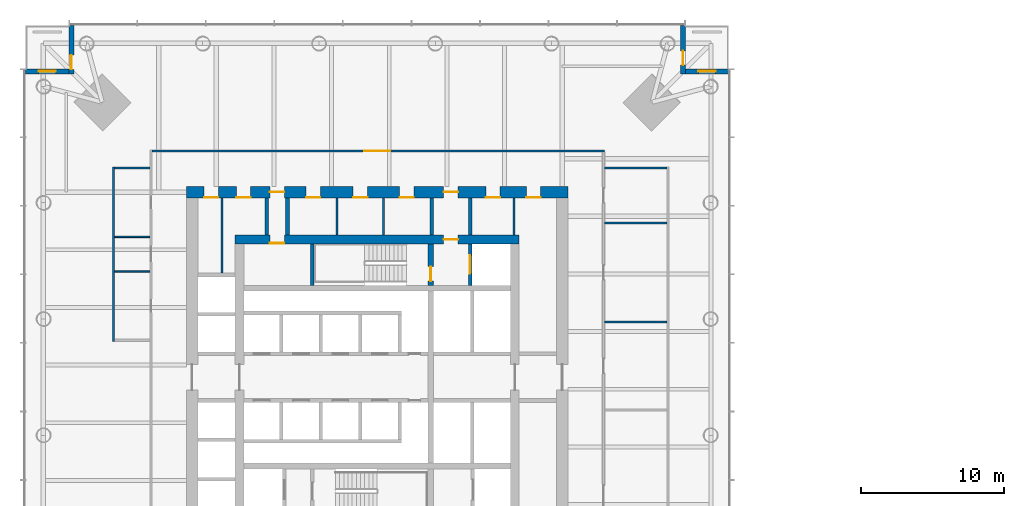
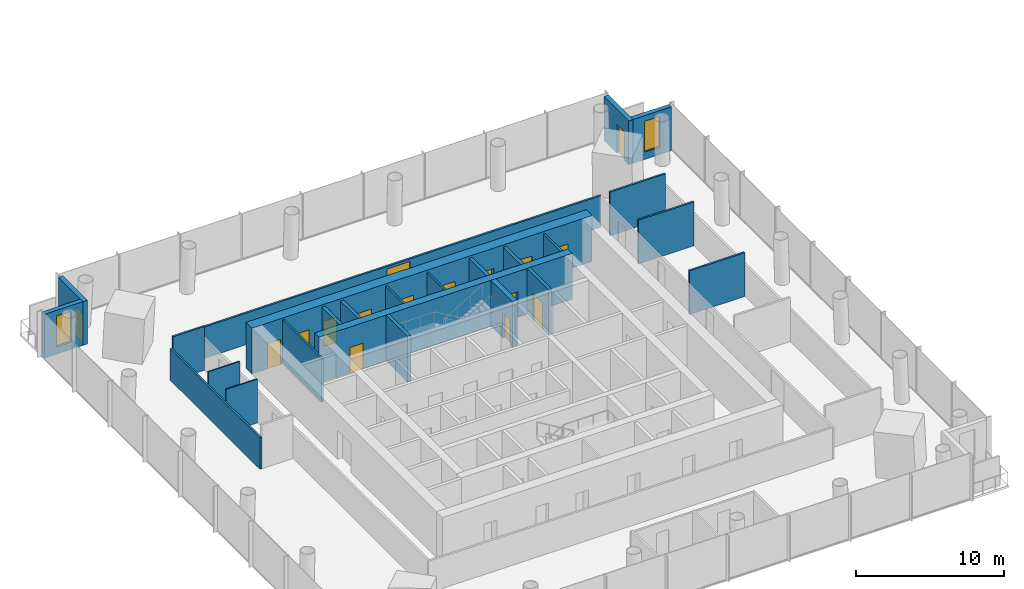
# One storey, part 11 of 21: 25 walls, 16 doors, 2 windows, 18 openings.
"""IFC4 building model written with IfcOpenShell, lengths in metres."""

from ifc_helpers import new_model, si_unit, direction, frame, frame_2d, origin, place, context, subcontext, project, spatial, rectangle, extrude, material, layer, layer_set, type_object, element, fill, save


model = new_model("IFC4")

# Units and contexts
model_context = context("Model", 3, precision=1e-05, world=origin(), true_north=direction((0.0, 1.0)))
body_context = subcontext(model_context, "Body", "Model", "MODEL_VIEW")
ifc_project = project(units=[si_unit("LENGTHUNIT", "METRE"), si_unit("AREAUNIT", "SQUARE_METRE"), si_unit("VOLUMEUNIT", "CUBIC_METRE"), si_unit("PLANEANGLEUNIT", "RADIAN"), si_unit("MASSUNIT", "GRAM", prefix="KILO")], contexts=[model_context])

# Site, building, storey
site_placement = place(None, origin())
site = spatial("IfcSite", under=ifc_project, at=site_placement, CompositionType="ELEMENT")
building_placement = place(site_placement, origin())
building = spatial("IfcBuilding", under=site, at=building_placement, Name="Ostroluk Exchange", CompositionType="ELEMENT")
storey_placement = place(building_placement, frame((0.0, 0.0, 43.800048828125)))
storey = spatial("IfcBuildingStorey", under=building, at=storey_placement, Name="L10", CompositionType="ELEMENT", Elevation=43.800048828125)

# Walls
ifc_material_1 = material(Name="Concrete blockwork", Category="masonry")
ifc_layer_1 = layer(ifc_material_1, 0.10009765625)
ifc_layer_set_1 = layer_set([ifc_layer_1], Name="Blockwork WC wall 100")
wall_type_1 = type_object("IfcWallType", Name="Blockwork WC wall 100", PredefinedType="SOLIDWALL", material=ifc_layer_set_1)
for number, where, z_axis, x_axis, name in (
    (1, (29.14990234375, 55.77490234375, 0.0), (0.0, 0.0, 1.0), (-1.0, 0.0, 0.0), "Blockwork WC wall"),
    (2, (29.14990234375, 53.375, 0.0), (0.0, 0.0, 1.0), (-1.0, 0.0, 0.0), "Blockwork WC wall"),
):
    element("IfcWall", number, at=place(storey_placement, frame(where, z_axis=z_axis, x_axis=x_axis)), inside=storey, type_object=wall_type_1, Name=name, PredefinedType="SOLIDWALL", context=body_context, shape_type="SweptSolid", body=[
        extrude(rectangle(XDim=2.449951171875, YDim=0.10009765625, at=frame_2d((1.22509765625, 0.0))), origin(), (0.0, 0.0, 1.0), 3.619873046875),
    ])
ifc_material_2 = material(Name="Concrete blockwork", Category="masonry")
ifc_layer_2 = layer(ifc_material_2, 0.14990234375)
ifc_layer_set_2 = layer_set([ifc_layer_2], Name="Blockwork plant room wall 150")
wall_type_2 = type_object("IfcWallType", Name="Blockwork plant room wall 150", PredefinedType="SOLIDWALL", material=ifc_layer_set_2)
wall_1_placement = place(storey_placement, frame((34.18310546875, 53.25, 0.0), z_axis=(0.0, 0.0, 1.0), x_axis=(0.0, 1.0, 0.0)))
element("IfcWall", 3, at=wall_1_placement, inside=storey, type_object=wall_type_2, Name="Core room wall", PredefinedType="SOLIDWALL", context=body_context, shape_type="SweptSolid", body=[
    extrude(rectangle(XDim=5.25, YDim=0.14990234375, at=frame_2d((2.625, 0.0))), origin(), (0.0, 0.0, 1.0), 3.619873046875),
])
for number, where, z_axis, x_axis, name in (
    (4, (42.208740234375, 55.89990234375, 0.0), (0.0, 0.0, 1.0), (0.0, 1.0, 0.0), "Core room wall"),
    (5, (45.4443359375, 55.89990234375, 0.0), (0.0, 0.0, 1.0), (0.0, 1.0, 0.0), "Core room wall"),
    (6, (54.550048828125, 55.89990234375, 0.0), (0.0, 0.0, 1.0), (0.0, 1.0, 0.0), "Core room wall"),
):
    element("IfcWall", number, at=place(storey_placement, frame(where, z_axis=z_axis, x_axis=x_axis)), inside=storey, type_object=wall_type_2, Name=name, PredefinedType="SOLIDWALL", context=body_context, shape_type="SweptSolid", body=[
        extrude(rectangle(XDim=2.60009765625, YDim=0.14990234375, at=frame_2d((1.300048828125, 0.0))), origin(), (0.0, 0.0, 1.0), 3.619873046875),
    ])
ifc_material_3 = material(Name="Concrete blockwork", Category="masonry")
ifc_layer_3 = layer(ifc_material_3, 0.25)
ifc_layer_set_3 = layer_set([ifc_layer_3], Name="Blockwork stair enclosure wall 250")
wall_type_3 = type_object("IfcWallType", Name="Blockwork stair enclosure wall 250", PredefinedType="SOLIDWALL", material=ifc_layer_set_3)
for number, where, z_axis, x_axis, name in (
    (7, (48.804931640625, 55.89990234375, 0.0), (0.0, 0.0, 1.0), (0.0, 1.0, 0.0), "Fire lobby enclosure wall"),
    (8, (51.47509765625, 55.89990234375, 0.0), (0.0, 0.0, 1.0), (0.0, 1.0, 0.0), "Fire lobby enclosure wall"),
    (9, (37.300048828125, 55.89990234375, 0.0), (0.0, 0.0, 1.0), (0.0, 1.0, 0.0), "Core corridor wall"),
    (10, (38.75, 55.89990234375, 0.0), (0.0, 0.0, 1.0), (0.0, 1.0, 0.0), "Core corridor wall"),
):
    element("IfcWall", number, at=place(storey_placement, frame(where, z_axis=z_axis, x_axis=x_axis)), inside=storey, type_object=wall_type_3, Name=name, PredefinedType="SOLIDWALL", context=body_context, shape_type="SweptSolid", body=[
        extrude(rectangle(XDim=2.60009765625, YDim=0.25, at=frame_2d((1.300048828125, 0.0))), origin(), (0.0, 0.0, 1.0), 3.619873046875),
    ])

# Wall, opening, door
ifc_material_4 = material(Name="Concrete C50/60", Category="concrete")
ifc_layer_4 = layer(ifc_material_4, 0.39990234375)
ifc_layer_set_4 = layer_set([ifc_layer_4], Name="Core cross wall 400 C50/60")
wall_type_4 = type_object("IfcWallType", Name="Core cross wall 400 C50/60", PredefinedType="SHEAR", material=ifc_layer_set_4)
wall_2_placement = place(storey_placement, frame((48.72998046875, 52.39990234375, 0.0), z_axis=(0.0, 0.0, 1.0), x_axis=(0.0, 1.0, 0.0)))
wall_2 = element("IfcWall", 11, at=wall_2_placement, inside=storey, type_object=wall_type_4, Name="T1 core wall YE3", PredefinedType="SHEAR", context=body_context, shape_type="SweptSolid", body=[
    extrude(rectangle(XDim=2.900146484375, YDim=0.39990234375, at=frame_2d((1.4501953125, 0.0))), origin(), (0.0, 0.0, 1.0), 3.800048828125),
])
opening_1_placement = place(wall_2_placement, frame((0.300048828125, 0.0, 0.0)))
opening_1 = element("IfcOpeningElement", 12, at=opening_1_placement, cuts=wall_2, Name="Opening FD60", PredefinedType="OPENING", context=body_context, shape_type="SweptSolid", body=[
    extrude(rectangle(XDim=1.0, YDim=2.10009765625, at=frame_2d((0.5, 1.050048828125))), frame((0.0, 0.2099609375, 0.0), z_axis=(0.0, -1.0, 0.0), x_axis=(1.0, 0.0, 0.0)), (0.0, 0.0, 1.0), 0.419921875),
])
ifc_material_5 = material(Name="Steel", Category="steel")
door_type_1 = type_object("IfcDoorType", Name="Fire door EI 60 1000 x 2100", OperationType="SINGLE_SWING_LEFT", PredefinedType="DOOR", material=ifc_material_5)
door_1_placement = place(opening_1_placement, origin())
door_1 = element("IfcDoor", 13, at=door_1_placement, inside=storey, type_object=door_type_1, Name="Stair T1-S2 door", OperationType="SINGLE_SWING_LEFT", OverallHeight=2.10009765625, OverallWidth=1.0, PredefinedType="DOOR", context=body_context, shape_type="SweptSolid", body=[
    extrude(rectangle(XDim=1.0, YDim=2.10009765625, at=frame_2d((0.5, 1.050048828125))), frame((0.0, 0.02490234375, 0.0), z_axis=(0.0, -1.0, 0.0), x_axis=(1.0, 0.0, 0.0)), (0.0, 0.0, 1.0), 0.050048828125),
])
fill(opening_1, door_1)

# Wall
ifc_material_6 = material(Name="Concrete C40/50", Category="concrete")
ifc_layer_5 = layer(ifc_material_6, 0.25)
ifc_layer_set_5 = layer_set([ifc_layer_5], Name="Core shaft wall 250")
wall_type_5 = type_object("IfcWallType", Name="Core shaft wall 250", PredefinedType="SHEAR", material=ifc_layer_set_5)
wall_3_placement = place(storey_placement, frame((40.47509765625, 52.39990234375, 0.0), z_axis=(0.0, 0.0, 1.0), x_axis=(0.0, 1.0, 0.0)))
element("IfcWall", 14, at=wall_3_placement, inside=storey, type_object=wall_type_5, Name="Stair shaft wall", PredefinedType="SHEAR", context=body_context, shape_type="SweptSolid", body=[
    extrude(rectangle(XDim=2.900146484375, YDim=0.25, at=frame_2d((1.4501953125, 0.0))), origin(), (0.0, 0.0, 1.0), 3.800048828125),
])

# Wall, opening, door
wall_4_placement = place(storey_placement, frame((51.47509765625, 52.39990234375, 0.0), z_axis=(0.0, 0.0, 1.0), x_axis=(0.0, 1.0, 0.0)))
wall_4 = element("IfcWall", 15, at=wall_4_placement, inside=storey, type_object=wall_type_5, Name="Firefighting lift shaft wall", PredefinedType="SHEAR", context=body_context, shape_type="SweptSolid", body=[
    extrude(rectangle(XDim=2.900146484375, YDim=0.25, at=frame_2d((1.4501953125, 0.0))), origin(), (0.0, 0.0, 1.0), 3.800048828125),
])
opening_2_placement = place(wall_4_placement, frame((0.800048828125, 0.0, 0.0)))
opening_2 = element("IfcOpeningElement", 16, at=opening_2_placement, cuts=wall_4, Name="Opening LD2", PredefinedType="OPENING", context=body_context, shape_type="SweptSolid", body=[
    extrude(rectangle(XDim=1.300048828125, YDim=2.199951171875, at=frame_2d((0.64990234375, 1.10009765625))), frame((0.0, 0.135009765625, 0.0), z_axis=(0.0, -1.0, 0.0), x_axis=(1.0, 0.0, 0.0)), (0.0, 0.0, 1.0), 0.27001953125),
])
ifc_material_7 = material(Name="Stainless steel", Category="steel")
door_type_2 = type_object("IfcDoorType", Name="Lift landing door E 60 1300 x 2200", OperationType="DOUBLE_DOOR_SLIDING", PredefinedType="DOOR", material=ifc_material_7)
door_2_placement = place(opening_2_placement, origin())
door_2 = element("IfcDoor", 17, at=door_2_placement, inside=storey, type_object=door_type_2, Name="Lift FL2 landing door", OperationType="DOUBLE_DOOR_SLIDING", OverallHeight=2.199951171875, OverallWidth=1.300048828125, PredefinedType="DOOR", context=body_context, shape_type="SweptSolid", body=[
    extrude(rectangle(XDim=1.300048828125, YDim=2.199951171875, at=frame_2d((0.64990234375, 1.10009765625))), frame((0.0, 0.02490234375, 0.0), z_axis=(0.0, -1.0, 0.0), x_axis=(1.0, 0.0, 0.0)), (0.0, 0.0, 1.0), 0.050048828125),
])
fill(opening_2, door_2)

# Wall, openings, doors
ifc_material_8 = material(Name="Concrete C50/60", Category="concrete")
ifc_layer_6 = layer(ifc_material_8, 0.60009765625)
ifc_layer_set_6 = layer_set([ifc_layer_6], Name="Core wall 600 C50/60")
wall_type_6 = type_object("IfcWallType", Name="Core wall 600 C50/60", PredefinedType="SHEAR", material=ifc_layer_set_6)
wall_5_placement = place(storey_placement, frame((35.10009765625, 55.60009765625, 0.0), z_axis=(0.0, 0.0, 1.0), x_axis=(1.0, 0.0, 0.0)))
wall_5 = element("IfcWall", 18, at=wall_5_placement, inside=storey, type_object=wall_type_6, Name="T1 core wall N", PredefinedType="SHEAR", context=body_context, shape_type="SweptSolid", body=[
    extrude(rectangle(XDim=19.7998046875, YDim=0.60009765625, at=frame_2d((9.89990234375, 0.0))), origin(), (0.0, 0.0, 1.0), 3.800048828125),
])
opening_3_placement = place(wall_5_placement, frame((14.5400390625, 0.0, 0.0)))
opening_3 = element("IfcOpeningElement", 19, at=opening_3_placement, cuts=wall_5, Name="Opening FD60", PredefinedType="OPENING", context=body_context, shape_type="SweptSolid", body=[
    extrude(rectangle(XDim=1.0, YDim=2.10009765625, at=frame_2d((0.5, 1.050048828125))), frame((0.0, 0.31005859375, 0.0), z_axis=(0.0, -1.0, 0.0), x_axis=(1.0, 0.0, 0.0)), (0.0, 0.0, 1.0), 0.6201171875),
])
opening_4_placement = place(wall_5_placement, frame((2.425048828125, 0.0, 0.0)))
opening_4 = element("IfcOpeningElement", 20, at=opening_4_placement, cuts=wall_5, Name="Opening FD60", PredefinedType="OPENING", context=body_context, shape_type="SweptSolid", body=[
    extrude(rectangle(XDim=1.0, YDim=2.10009765625, at=frame_2d((0.5, 1.050048828125))), frame((0.0, 0.31005859375, 0.0), z_axis=(0.0, -1.0, 0.0), x_axis=(1.0, 0.0, 0.0)), (0.0, 0.0, 1.0), 0.6201171875),
])
door_3_placement = place(opening_3_placement, origin())
door_3 = element("IfcDoor", 21, at=door_3_placement, inside=storey, type_object=door_type_1, Name="Firefighting lobby door", OperationType="SINGLE_SWING_RIGHT", OverallHeight=2.10009765625, OverallWidth=1.0, PredefinedType="DOOR", context=body_context, shape_type="SweptSolid", body=[
    extrude(rectangle(XDim=1.0, YDim=2.10009765625, at=frame_2d((0.5, 1.050048828125))), frame((0.0, 0.02490234375, 0.0), z_axis=(0.0, -1.0, 0.0), x_axis=(1.0, 0.0, 0.0)), (0.0, 0.0, 1.0), 0.050048828125),
])
fill(opening_3, door_3)
door_4_placement = place(opening_4_placement, origin())
door_4 = element("IfcDoor", 22, at=door_4_placement, inside=storey, type_object=door_type_1, Name="Tea point door", OperationType="SINGLE_SWING_LEFT", OverallHeight=2.10009765625, OverallWidth=1.0, PredefinedType="DOOR", context=body_context, shape_type="SweptSolid", body=[
    extrude(rectangle(XDim=1.0, YDim=2.10009765625, at=frame_2d((0.5, 1.050048828125))), frame((0.0, -0.23974609375, 0.0), z_axis=(0.0, -1.0, 0.0), x_axis=(1.0, 0.0, 0.0)), (0.0, 0.0, 1.0), 0.050048828125),
])
fill(opening_4, door_4)

ifc_material_9 = material(Name="Concrete C50/60", Category="concrete")
ifc_layer_7 = layer(ifc_material_9, 0.800048828125)
ifc_layer_set_7 = layer_set([ifc_layer_7], Name="Core wall 800 C50/60")
wall_type_7 = type_object("IfcWallType", Name="Core wall 800 C50/60", PredefinedType="SHEAR", material=ifc_layer_set_7)
wall_6_placement = place(storey_placement, frame((31.699951171875, 58.89990234375, 0.0), z_axis=(0.0, 0.0, 1.0), x_axis=(1.0, 0.0, 0.0)))
wall_6 = element("IfcWall", 23, at=wall_6_placement, inside=storey, type_object=wall_type_7, Name="T1 core wall RN", PredefinedType="SHEAR", context=body_context, shape_type="SweptSolid", body=[
    extrude(rectangle(XDim=26.60009765625, YDim=0.800048828125, at=frame_2d((13.300048828125, 0.0))), origin(), (0.0, 0.0, 1.0), 3.800048828125),
])
opening_5_placement = place(wall_6_placement, frame((17.93994140625, 0.0, 0.0)))
opening_5 = element("IfcOpeningElement", 24, at=opening_5_placement, cuts=wall_6, Name="Opening FD60", PredefinedType="OPENING", context=body_context, shape_type="SweptSolid", body=[
    extrude(rectangle(XDim=1.0, YDim=2.10009765625, at=frame_2d((0.5, 1.050048828125))), frame((0.0, 0.409912109375, 0.0), z_axis=(0.0, -1.0, 0.0), x_axis=(1.0, 0.0, 0.0)), (0.0, 0.0, 1.0), 0.820068359375),
])
opening_6_placement = place(wall_6_placement, frame((5.824951171875, 0.0, 0.0)))
opening_6 = element("IfcOpeningElement", 25, at=opening_6_placement, cuts=wall_6, Name="Opening FD60", PredefinedType="OPENING", context=body_context, shape_type="SweptSolid", body=[
    extrude(rectangle(XDim=1.0, YDim=2.10009765625, at=frame_2d((0.5, 1.050048828125))), frame((0.0, 0.409912109375, 0.0), z_axis=(0.0, -1.0, 0.0), x_axis=(1.0, 0.0, 0.0)), (0.0, 0.0, 1.0), 0.820068359375),
])
opening_7_placement = place(wall_6_placement, frame((1.23291015625, 0.0, 0.0)))
opening_7 = element("IfcOpeningElement", 26, at=opening_7_placement, cuts=wall_6, Name="Opening FD60", PredefinedType="OPENING", context=body_context, shape_type="SweptSolid", body=[
    extrude(rectangle(XDim=1.0, YDim=2.10009765625, at=frame_2d((0.5, 1.050048828125))), frame((0.0, 0.409912109375, 0.0), z_axis=(0.0, -1.0, 0.0), x_axis=(1.0, 0.0, 0.0)), (0.0, 0.0, 1.0), 0.820068359375),
])
opening_8_placement = place(wall_6_placement, frame((3.47900390625, 0.0, 0.0)))
opening_8 = element("IfcOpeningElement", 27, at=opening_8_placement, cuts=wall_6, Name="Opening FD60", PredefinedType="OPENING", context=body_context, shape_type="SweptSolid", body=[
    extrude(rectangle(XDim=1.0, YDim=2.10009765625, at=frame_2d((0.5, 1.050048828125))), frame((0.0, 0.409912109375, 0.0), z_axis=(0.0, -1.0, 0.0), x_axis=(1.0, 0.0, 0.0)), (0.0, 0.0, 1.0), 0.820068359375),
])
opening_9_placement = place(wall_6_placement, frame((8.341796875, 0.0, 0.0)))
opening_9 = element("IfcOpeningElement", 28, at=opening_9_placement, cuts=wall_6, Name="Opening FD60", PredefinedType="OPENING", context=body_context, shape_type="SweptSolid", body=[
    extrude(rectangle(XDim=1.0, YDim=2.10009765625, at=frame_2d((0.5, 1.050048828125))), frame((0.0, 0.409912109375, 0.0), z_axis=(0.0, -1.0, 0.0), x_axis=(1.0, 0.0, 0.0)), (0.0, 0.0, 1.0), 0.820068359375),
])
opening_10_placement = place(wall_6_placement, frame((11.62646484375, 0.0, 0.0)))
opening_10 = element("IfcOpeningElement", 29, at=opening_10_placement, cuts=wall_6, Name="Opening FD60", PredefinedType="OPENING", context=body_context, shape_type="SweptSolid", body=[
    extrude(rectangle(XDim=1.0, YDim=2.10009765625, at=frame_2d((0.5, 1.050048828125))), frame((0.0, 0.409912109375, 0.0), z_axis=(0.0, -1.0, 0.0), x_axis=(1.0, 0.0, 0.0)), (0.0, 0.0, 1.0), 0.820068359375),
])
opening_11_placement = place(wall_6_placement, frame((14.862060546875, 0.0, 0.0)))
opening_11 = element("IfcOpeningElement", 30, at=opening_11_placement, cuts=wall_6, Name="Opening FD60", PredefinedType="OPENING", context=body_context, shape_type="SweptSolid", body=[
    extrude(rectangle(XDim=1.0, YDim=2.10009765625, at=frame_2d((0.5, 1.050048828125))), frame((0.0, 0.409912109375, 0.0), z_axis=(0.0, -1.0, 0.0), x_axis=(1.0, 0.0, 0.0)), (0.0, 0.0, 1.0), 0.820068359375),
])
opening_12_placement = place(wall_6_placement, frame((20.875, 0.0, 0.0)))
opening_12 = element("IfcOpeningElement", 31, at=opening_12_placement, cuts=wall_6, Name="Opening FD60", PredefinedType="OPENING", context=body_context, shape_type="SweptSolid", body=[
    extrude(rectangle(XDim=1.0, YDim=2.10009765625, at=frame_2d((0.5, 1.050048828125))), frame((0.0, 0.409912109375, 0.0), z_axis=(0.0, -1.0, 0.0), x_axis=(1.0, 0.0, 0.0)), (0.0, 0.0, 1.0), 0.820068359375),
])
opening_13_placement = place(wall_6_placement, frame((23.699951171875, 0.0, 0.0)))
opening_13 = element("IfcOpeningElement", 32, at=opening_13_placement, cuts=wall_6, Name="Opening FD60", PredefinedType="OPENING", context=body_context, shape_type="SweptSolid", body=[
    extrude(rectangle(XDim=1.0, YDim=2.10009765625, at=frame_2d((0.5, 1.050048828125))), frame((0.0, 0.409912109375, 0.0), z_axis=(0.0, -1.0, 0.0), x_axis=(1.0, 0.0, 0.0)), (0.0, 0.0, 1.0), 0.820068359375),
])
door_5_placement = place(opening_5_placement, origin())
door_5 = element("IfcDoor", 33, at=door_5_placement, inside=storey, type_object=door_type_1, Name="Firefighting lobby door", OperationType="SINGLE_SWING_RIGHT", OverallHeight=2.10009765625, OverallWidth=1.0, PredefinedType="DOOR", context=body_context, shape_type="SweptSolid", body=[
    extrude(rectangle(XDim=1.0, YDim=2.10009765625, at=frame_2d((0.5, 1.050048828125))), frame((0.0, 0.02490234375, 0.0), z_axis=(0.0, -1.0, 0.0), x_axis=(1.0, 0.0, 0.0)), (0.0, 0.0, 1.0), 0.050048828125),
])
fill(opening_5, door_5)
door_6_placement = place(opening_6_placement, origin())
door_6 = element("IfcDoor", 34, at=door_6_placement, inside=storey, type_object=door_type_1, Name="Core corridor door", OperationType="SINGLE_SWING_LEFT", OverallHeight=2.10009765625, OverallWidth=1.0, PredefinedType="DOOR", context=body_context, shape_type="SweptSolid", body=[
    extrude(rectangle(XDim=1.0, YDim=2.10009765625, at=frame_2d((0.5, 1.050048828125))), frame((0.0, 0.02490234375, 0.0), z_axis=(0.0, -1.0, 0.0), x_axis=(1.0, 0.0, 0.0)), (0.0, 0.0, 1.0), 0.050048828125),
])
fill(opening_6, door_6)
door_7_placement = place(opening_7_placement, origin())
door_7 = element("IfcDoor", 35, at=door_7_placement, inside=storey, type_object=door_type_1, Name="Tenant IT room door", OperationType="SINGLE_SWING_LEFT", OverallHeight=2.10009765625, OverallWidth=1.0, PredefinedType="DOOR", context=body_context, shape_type="SweptSolid", body=[
    extrude(rectangle(XDim=1.0, YDim=2.10009765625, at=frame_2d((0.5, 1.050048828125))), frame((0.0, -0.33984375, 0.0), z_axis=(0.0, -1.0, 0.0), x_axis=(1.0, 0.0, 0.0)), (0.0, 0.0, 1.0), 0.050048828125),
])
fill(opening_7, door_7)
door_8_placement = place(opening_8_placement, origin())
door_8 = element("IfcDoor", 36, at=door_8_placement, inside=storey, type_object=door_type_1, Name="First aid room door", OperationType="SINGLE_SWING_LEFT", OverallHeight=2.10009765625, OverallWidth=1.0, PredefinedType="DOOR", context=body_context, shape_type="SweptSolid", body=[
    extrude(rectangle(XDim=1.0, YDim=2.10009765625, at=frame_2d((0.5, 1.050048828125))), frame((0.0, -0.33984375, 0.0), z_axis=(0.0, -1.0, 0.0), x_axis=(1.0, 0.0, 0.0)), (0.0, 0.0, 1.0), 0.050048828125),
])
fill(opening_8, door_8)
door_9_placement = place(opening_9_placement, origin())
door_9 = element("IfcDoor", 37, at=door_9_placement, inside=storey, type_object=door_type_1, Name="Print and post room door", OperationType="SINGLE_SWING_LEFT", OverallHeight=2.10009765625, OverallWidth=1.0, PredefinedType="DOOR", context=body_context, shape_type="SweptSolid", body=[
    extrude(rectangle(XDim=1.0, YDim=2.10009765625, at=frame_2d((0.5, 1.050048828125))), frame((0.0, -0.33984375, 0.0), z_axis=(0.0, -1.0, 0.0), x_axis=(1.0, 0.0, 0.0)), (0.0, 0.0, 1.0), 0.050048828125),
])
fill(opening_9, door_9)
door_10_placement = place(opening_10_placement, origin())
door_10 = element("IfcDoor", 38, at=door_10_placement, inside=storey, type_object=door_type_1, Name="Archive door", OperationType="SINGLE_SWING_LEFT", OverallHeight=2.10009765625, OverallWidth=1.0, PredefinedType="DOOR", context=body_context, shape_type="SweptSolid", body=[
    extrude(rectangle(XDim=1.0, YDim=2.10009765625, at=frame_2d((0.5, 1.050048828125))), frame((0.0, -0.33984375, 0.0), z_axis=(0.0, -1.0, 0.0), x_axis=(1.0, 0.0, 0.0)), (0.0, 0.0, 1.0), 0.050048828125),
])
fill(opening_10, door_10)
door_11_placement = place(opening_11_placement, origin())
door_11 = element("IfcDoor", 39, at=door_11_placement, inside=storey, type_object=door_type_1, Name="Tenant IT room door", OperationType="SINGLE_SWING_RIGHT", OverallHeight=2.10009765625, OverallWidth=1.0, PredefinedType="DOOR", context=body_context, shape_type="SweptSolid", body=[
    extrude(rectangle(XDim=1.0, YDim=2.10009765625, at=frame_2d((0.5, 1.050048828125))), frame((0.0, -0.33984375, 0.0), z_axis=(0.0, -1.0, 0.0), x_axis=(1.0, 0.0, 0.0)), (0.0, 0.0, 1.0), 0.050048828125),
])
fill(opening_11, door_11)
door_12_placement = place(opening_12_placement, origin())
door_12 = element("IfcDoor", 40, at=door_12_placement, inside=storey, type_object=door_type_1, Name="First aid room door", OperationType="SINGLE_SWING_RIGHT", OverallHeight=2.10009765625, OverallWidth=1.0, PredefinedType="DOOR", context=body_context, shape_type="SweptSolid", body=[
    extrude(rectangle(XDim=1.0, YDim=2.10009765625, at=frame_2d((0.5, 1.050048828125))), frame((0.0, -0.33984375, 0.0), z_axis=(0.0, -1.0, 0.0), x_axis=(1.0, 0.0, 0.0)), (0.0, 0.0, 1.0), 0.050048828125),
])
fill(opening_12, door_12)
door_13_placement = place(opening_13_placement, origin())
door_13 = element("IfcDoor", 41, at=door_13_placement, inside=storey, type_object=door_type_1, Name="Tea point door", OperationType="SINGLE_SWING_RIGHT", OverallHeight=2.10009765625, OverallWidth=1.0, PredefinedType="DOOR", context=body_context, shape_type="SweptSolid", body=[
    extrude(rectangle(XDim=1.0, YDim=2.10009765625, at=frame_2d((0.5, 1.050048828125))), frame((0.0, -0.33984375, 0.0), z_axis=(0.0, -1.0, 0.0), x_axis=(1.0, 0.0, 0.0)), (0.0, 0.0, 1.0), 0.050048828125),
])
fill(opening_13, door_13)

# Wall, opening, door
ifc_material_10 = material(Name="Limestone", Category="masonry")
ifc_layer_8 = layer(ifc_material_10, 0.35009765625)
ifc_layer_set_8 = layer_set([ifc_layer_8], Name="Limestone facade wall 350")
wall_type_8 = type_object("IfcWallType", Name="Limestone facade wall 350", PredefinedType="SOLIDWALL", material=ifc_layer_set_8)
wall_7_placement = place(storey_placement, frame((66.324951171875, 70.5, 0.0), z_axis=(0.0, 0.0, 1.0), x_axis=(0.0, -1.0, 0.0)))
wall_7 = element("IfcWall", 42, at=wall_7_placement, inside=storey, type_object=wall_type_8, Name="Office tower NE corner wall L10 a", PredefinedType="SOLIDWALL", context=body_context, shape_type="SweptSolid", body=[
    extrude(rectangle(XDim=3.35009765625, YDim=0.35009765625, at=frame_2d((1.675048828125, 0.0))), origin(), (0.0, 0.0, 1.0), 3.619873046875),
])
opening_14_placement = place(wall_7_placement, frame((1.75, 0.0, 0.0)))
opening_14 = element("IfcOpeningElement", 43, at=opening_14_placement, cuts=wall_7, Name="Opening D-B1", PredefinedType="OPENING", context=body_context, shape_type="SweptSolid", body=[
    extrude(rectangle(XDim=1.0, YDim=2.39990234375, at=frame_2d((0.5, 1.199951171875))), frame((0.0, 0.18505859375, 0.0), z_axis=(0.0, -1.0, 0.0), x_axis=(1.0, 0.0, 0.0)), (0.0, 0.0, 1.0), 0.3701171875),
])
ifc_material_11 = material(Name="Bronze framed glazed door", Category="aluminium")
door_type_3 = type_object("IfcDoorType", Name="Balcony door 1000 x 2400", OperationType="SINGLE_SWING_LEFT", PredefinedType="DOOR", material=ifc_material_11)
door_14_placement = place(opening_14_placement, origin())
door_14 = element("IfcDoor", 44, at=door_14_placement, inside=storey, type_object=door_type_3, Name="Office tower NE balcony door L10", OperationType="SINGLE_SWING_RIGHT", OverallHeight=2.39990234375, OverallWidth=1.0, PredefinedType="DOOR", context=body_context, shape_type="SweptSolid", body=[
    extrude(rectangle(XDim=1.0, YDim=2.39990234375, at=frame_2d((0.5, 1.199951171875))), frame((0.0, 0.02490234375, 0.0), z_axis=(0.0, -1.0, 0.0), x_axis=(1.0, 0.0, 0.0)), (0.0, 0.0, 1.0), 0.050048828125),
])
fill(opening_14, door_14)

# Wall, opening, window
wall_8_placement = place(storey_placement, frame((66.5, 67.324951171875, 0.0), z_axis=(0.0, 0.0, 1.0), x_axis=(1.0, 0.0, 0.0)))
wall_8 = element("IfcWall", 45, at=wall_8_placement, inside=storey, type_object=wall_type_8, Name="Office tower NE corner wall L10 b", PredefinedType="SOLIDWALL", context=body_context, shape_type="SweptSolid", body=[
    extrude(rectangle(XDim=3.0, YDim=0.35009765625, at=frame_2d((1.5, 0.0))), origin(), (0.0, 0.0, 1.0), 3.619873046875),
])
opening_15_placement = place(wall_8_placement, frame((0.89990234375, 0.0, 0.60009765625)))
opening_15 = element("IfcOpeningElement", 46, at=opening_15_placement, cuts=wall_8, Name="Opening WN-L1", PredefinedType="OPENING", context=body_context, shape_type="SweptSolid", body=[
    extrude(rectangle(XDim=1.199951171875, YDim=2.550048828125, at=frame_2d((0.60009765625, 1.27490234375))), frame((0.0, 0.18505859375, 0.0), z_axis=(0.0, -1.0, 0.0), x_axis=(1.0, 0.0, 0.0)), (0.0, 0.0, 1.0), 0.3701171875),
])
ifc_material_12 = material(Name="Laminated clear glass", Category="glass")
window_type = type_object("IfcWindowType", Name="Lancet window 1200 x 2550", PartitioningType="SINGLE_PANEL", PredefinedType="WINDOW", material=ifc_material_12)
window_1_placement = place(opening_15_placement, origin())
window_1 = element("IfcWindow", 47, at=window_1_placement, inside=storey, type_object=window_type, Name="Office tower NE lancet window L10", OverallHeight=2.550048828125, OverallWidth=1.199951171875, PartitioningType="SINGLE_PANEL", PredefinedType="WINDOW", context=body_context, shape_type="SweptSolid", body=[
    extrude(rectangle(XDim=1.199951171875, YDim=2.550048828125, at=frame_2d((0.60009765625, 1.27490234375))), frame((0.0, 0.030029296875, 0.0), z_axis=(0.0, -1.0, 0.0), x_axis=(1.0, 0.0, 0.0)), (0.0, 0.0, 1.0), 0.06005859375),
])
fill(opening_15, window_1)

# Wall, opening, door
wall_9_placement = place(storey_placement, frame((23.675048828125, 70.5, 0.0), z_axis=(0.0, 0.0, 1.0), x_axis=(0.0, -1.0, 0.0)))
wall_9 = element("IfcWall", 48, at=wall_9_placement, inside=storey, type_object=wall_type_8, Name="Office tower NW corner wall L10 a", PredefinedType="SOLIDWALL", context=body_context, shape_type="SweptSolid", body=[
    extrude(rectangle(XDim=3.35009765625, YDim=0.35009765625, at=frame_2d((1.675048828125, 0.0))), origin(), (0.0, 0.0, 1.0), 3.619873046875),
])
opening_16_placement = place(wall_9_placement, frame((2.050048828125, 0.0, 0.0)))
opening_16 = element("IfcOpeningElement", 49, at=opening_16_placement, cuts=wall_9, Name="Opening D-B1", PredefinedType="OPENING", context=body_context, shape_type="SweptSolid", body=[
    extrude(rectangle(XDim=1.0, YDim=2.39990234375, at=frame_2d((0.5, 1.199951171875))), frame((0.0, 0.18505859375, 0.0), z_axis=(0.0, -1.0, 0.0), x_axis=(1.0, 0.0, 0.0)), (0.0, 0.0, 1.0), 0.3701171875),
])
door_15_placement = place(opening_16_placement, origin())
door_15 = element("IfcDoor", 50, at=door_15_placement, inside=storey, type_object=door_type_3, Name="Office tower NW balcony door L10", OperationType="SINGLE_SWING_RIGHT", OverallHeight=2.39990234375, OverallWidth=1.0, PredefinedType="DOOR", context=body_context, shape_type="SweptSolid", body=[
    extrude(rectangle(XDim=1.0, YDim=2.39990234375, at=frame_2d((0.5, 1.199951171875))), frame((0.0, 0.02490234375, 0.0), z_axis=(0.0, -1.0, 0.0), x_axis=(1.0, 0.0, 0.0)), (0.0, 0.0, 1.0), 0.050048828125),
])
fill(opening_16, door_15)

# Wall, opening, window
wall_10_placement = place(storey_placement, frame((23.5, 67.324951171875, 0.0), z_axis=(0.0, 0.0, 1.0), x_axis=(-1.0, 0.0, 0.0)))
wall_10 = element("IfcWall", 51, at=wall_10_placement, inside=storey, type_object=wall_type_8, Name="Office tower NW corner wall L10 b", PredefinedType="SOLIDWALL", context=body_context, shape_type="SweptSolid", body=[
    extrude(rectangle(XDim=3.0, YDim=0.35009765625, at=frame_2d((1.5, 0.0))), origin(), (0.0, 0.0, 1.0), 3.619873046875),
])
opening_17_placement = place(wall_10_placement, frame((0.89990234375, 0.0, 0.60009765625)))
opening_17 = element("IfcOpeningElement", 52, at=opening_17_placement, cuts=wall_10, Name="Opening WN-L1", PredefinedType="OPENING", context=body_context, shape_type="SweptSolid", body=[
    extrude(rectangle(XDim=1.199951171875, YDim=2.550048828125, at=frame_2d((0.60009765625, 1.27490234375))), frame((0.0, 0.18505859375, 0.0), z_axis=(0.0, -1.0, 0.0), x_axis=(1.0, 0.0, 0.0)), (0.0, 0.0, 1.0), 0.3701171875),
])
window_2_placement = place(opening_17_placement, origin())
window_2 = element("IfcWindow", 53, at=window_2_placement, inside=storey, type_object=window_type, Name="Office tower NW lancet window L10", OverallHeight=2.550048828125, OverallWidth=1.199951171875, PartitioningType="SINGLE_PANEL", PredefinedType="WINDOW", context=body_context, shape_type="SweptSolid", body=[
    extrude(rectangle(XDim=1.199951171875, YDim=2.550048828125, at=frame_2d((0.60009765625, 1.27490234375))), frame((0.0, 0.030029296875, 0.0), z_axis=(0.0, -1.0, 0.0), x_axis=(1.0, 0.0, 0.0)), (0.0, 0.0, 1.0), 0.06005859375),
])
fill(opening_17, window_2)

# Walls
ifc_material_13 = material(Name="Gypsum plasterboard partition", Category="gypsum")
ifc_layer_9 = layer(ifc_material_13, 0.14990234375)
ifc_layer_set_9 = layer_set([ifc_layer_9], Name="Plasterboard partition 150")
wall_type_9 = type_object("IfcWallType", Name="Plasterboard partition 150", PredefinedType="PARTITIONING", material=ifc_layer_set_9)
for number, where, z_axis, x_axis, name in (
    (54, (60.85009765625, 49.83544921875, 0.0), (0.0, 0.0, 1.0), (1.0, 0.0, 0.0), "Partition"),
    (55, (60.85009765625, 56.739501953125, 0.0), (0.0, 0.0, 1.0), (1.0, 0.0, 0.0), "Partition"),
    (56, (60.85009765625, 60.574951171875, 0.0), (0.0, 0.0, 1.0), (1.0, 0.0, 0.0), "Partition"),
):
    element("IfcWall", number, at=place(storey_placement, frame(where, z_axis=z_axis, x_axis=x_axis)), inside=storey, type_object=wall_type_9, Name=name, PredefinedType="PARTITIONING", context=body_context, shape_type="SweptSolid", body=[
        extrude(rectangle(XDim=4.349853515625, YDim=0.14990234375, at=frame_2d((2.1748046875, 0.0))), origin(), (0.0, 0.0, 1.0), 3.619873046875),
    ])

# Wall, opening, door
wall_11_placement = place(storey_placement, frame((60.85009765625, 61.77490234375, 0.0), z_axis=(0.0, 0.0, 1.0), x_axis=(-1.0, 0.0, 0.0)))
wall_11 = element("IfcWall", 57, at=wall_11_placement, inside=storey, type_object=wall_type_9, Name="Corridor wall", PredefinedType="PARTITIONING", context=body_context, shape_type="SweptSolid", body=[
    extrude(rectangle(XDim=31.550048828125, YDim=0.14990234375, at=frame_2d((15.77490234375, 0.0))), origin(), (0.0, 0.0, 1.0), 2.612060546875),
])
opening_18_placement = place(wall_11_placement, frame((14.949951171875, 0.0, 0.0)))
opening_18 = element("IfcOpeningElement", 58, at=opening_18_placement, cuts=wall_11, Name="Opening D-04", PredefinedType="OPENING", context=body_context, shape_type="SweptSolid", body=[
    extrude(rectangle(XDim=1.800048828125, YDim=2.39990234375, at=frame_2d((0.89990234375, 1.199951171875))), frame((0.0, 0.0849609375, 0.0), z_axis=(0.0, -1.0, 0.0), x_axis=(1.0, 0.0, 0.0)), (0.0, 0.0, 1.0), 0.169921875),
])
ifc_material_14 = material(Name="Timber", Category="wood")
door_type_4 = type_object("IfcDoorType", Name="Double door 1800 x 2400", OperationType="DOUBLE_DOOR_SINGLE_SWING", PredefinedType="DOOR", material=ifc_material_14)
door_16_placement = place(opening_18_placement, origin())
door_16 = element("IfcDoor", 59, at=door_16_placement, inside=storey, type_object=door_type_4, Name="Open plan office door", OperationType="DOUBLE_DOOR_SINGLE_SWING", OverallHeight=2.39990234375, OverallWidth=1.800048828125, PredefinedType="DOOR", context=body_context, shape_type="SweptSolid", body=[
    extrude(rectangle(XDim=1.800048828125, YDim=2.39990234375, at=frame_2d((0.89990234375, 1.199951171875))), frame((0.0, 0.02490234375, 0.0), z_axis=(0.0, -1.0, 0.0), x_axis=(1.0, 0.0, 0.0)), (0.0, 0.0, 1.0), 0.050048828125),
])
fill(opening_18, door_16)

# Walls
ifc_material_15 = material(Name="Gypsum plasterboard partition, moisture resistant", Category="gypsum")
ifc_layer_10 = layer(ifc_material_15, 0.14990234375)
ifc_layer_set_10 = layer_set([ifc_layer_10], Name="Plasterboard toilet partition 150")
wall_type_10 = type_object("IfcWallType", Name="Plasterboard toilet partition 150", PredefinedType="PARTITIONING", material=ifc_layer_set_10)
wall_12_placement = place(storey_placement, frame((26.625, 60.64990234375, 0.0), z_axis=(0.0, 0.0, 1.0), x_axis=(0.0, -1.0, 0.0)))
element("IfcWall", 60, at=wall_12_placement, inside=storey, type_object=wall_type_10, Name="Toilet partition", PredefinedType="PARTITIONING", context=body_context, shape_type="SweptSolid", body=[
    extrude(rectangle(XDim=12.14990234375, YDim=0.14990234375, at=frame_2d((6.074951171875, 0.0))), origin(), (0.0, 0.0, 1.0), 2.612060546875),
])
wall_13_placement = place(storey_placement, frame((29.14990234375, 60.574951171875, 0.0), z_axis=(0.0, 0.0, 1.0), x_axis=(-1.0, 0.0, 0.0)))
element("IfcWall", 61, at=wall_13_placement, inside=storey, type_object=wall_type_10, Name="Toilet partition", PredefinedType="PARTITIONING", context=body_context, shape_type="SweptSolid", body=[
    extrude(rectangle(XDim=2.449951171875, YDim=0.14990234375, at=frame_2d((1.22509765625, 0.0))), origin(), (0.0, 0.0, 1.0), 3.619873046875),
])

save(model, "model.ifc")
